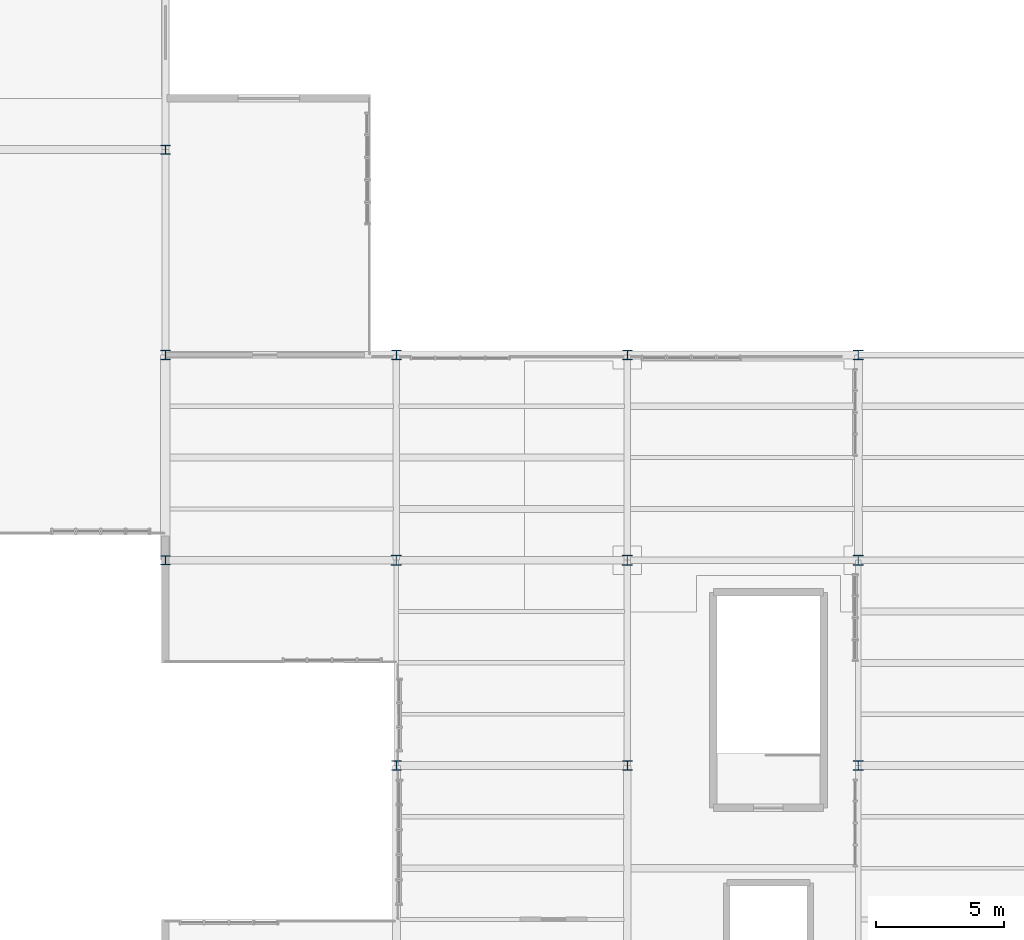
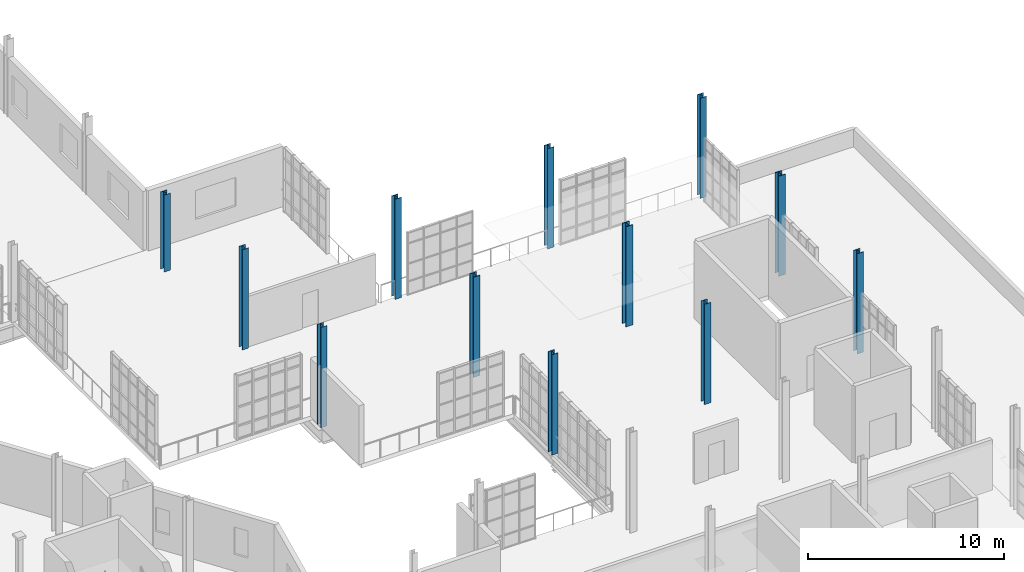
# One storey, part 5 of 118: 12 columns.
"""IFC4 building model written with IfcOpenShell, lengths in metres."""

from ifc_helpers import new_model, si_unit, direction, frame, origin, origin_2d, place, context, subcontext, project, spatial, i_section, extrude, material, material_profile, profile_set, type_object, element, save


model = new_model("IFC4")

# Units and contexts
model_context = context("Model", 3, precision=1e-05, world=origin(), true_north=direction((0.0, 1.0)))
body_context = subcontext(model_context, "Body", "Model", "MODEL_VIEW")
ifc_project = project(units=[si_unit("LENGTHUNIT", "METRE"), si_unit("AREAUNIT", "SQUARE_METRE"), si_unit("VOLUMEUNIT", "CUBIC_METRE"), si_unit("PLANEANGLEUNIT", "RADIAN"), si_unit("MASSUNIT", "GRAM", prefix="KILO"), si_unit("THERMODYNAMICTEMPERATUREUNIT", "KELVIN"), si_unit("POWERUNIT", "WATT")], contexts=[model_context])

# Site, building, storey
site_placement = place(None, origin())
site = spatial("IfcSite", under=ifc_project, at=site_placement, CompositionType="ELEMENT")
building_placement = place(site_placement, origin())
building = spatial("IfcBuilding", under=site, at=building_placement, Name="Zelmaris Science Centre", CompositionType="ELEMENT")
storey_placement = place(building_placement, frame((0.0, 0.0, 15.60009765625)))
storey = spatial("IfcBuildingStorey", under=building, at=storey_placement, Name="L03", CompositionType="ELEMENT", Elevation=15.60009765625)

# Columns
ifc_material = material(Name="Steel ASTM A992 Grade 50", Category="steel")
ifc_material_profile_1 = material_profile(ifc_material, i_section(OverallWidth=0.40087890625, OverallDepth=0.39892578125, WebThickness=0.02490234375, FlangeThickness=0.03955078125, FilletRadius=0.014892578125, at=origin_2d()), Name="W14X211")
ifc_profile_set_1 = profile_set([ifc_material_profile_1], Name="Steel ASTM A992 Grade 50")
column_type_1 = type_object("IfcColumnType", Name="Column C-03 W14X211", PredefinedType="COLUMN", material=ifc_profile_set_1)
for number, where, z_axis, x_axis, name in (
    (1, (117.0, 48.0, 0.0), (0.0, 0.0, 1.0), (1.0, 0.0, 0.0), "Column V4-C-117-48 L03"),
    (2, (126.0, 48.0, 0.0), (0.0, 0.0, 1.0), (1.0, 0.0, 0.0), "Column V4-C-126-48 L03"),
    (3, (135.0, 48.0, 0.0), (0.0, 0.0, 1.0), (1.0, 0.0, 0.0), "Column V4-C-135-48 L03"),
):
    element("IfcColumn", number, at=place(storey_placement, frame(where, z_axis=z_axis, x_axis=x_axis)), inside=storey, type_object=column_type_1, Name=name, PredefinedType="COLUMN", context=body_context, shape_type="SweptSolid", body=[
        extrude(i_section(OverallWidth=0.40087890625, OverallDepth=0.39892578125, WebThickness=0.02490234375, FlangeThickness=0.03955078125, FilletRadius=0.014892578125, at=origin_2d()), origin(), (0.0, 0.0, 1.0), 6.25),
    ])
ifc_material_profile_2 = material_profile(ifc_material, i_section(OverallWidth=0.373046875, OverallDepth=0.367919921875, WebThickness=0.014892578125, FlangeThickness=0.02392578125, FilletRadius=0.014892578125, at=origin_2d()), Name="W14X120")
ifc_profile_set_2 = profile_set([ifc_material_profile_2], Name="Steel ASTM A992 Grade 50")
column_type_2 = type_object("IfcColumnType", Name="Column C-06 W14X120", PredefinedType="COLUMN", material=ifc_profile_set_2)
for number, where, z_axis, x_axis, name in (
    (4, (108.0, 48.0, 0.0), (0.0, 0.0, 1.0), (1.0, 0.0, 0.0), "Column V4-C-108-48 L03"),
    (5, (108.0, 56.0, 0.0), (0.0, 0.0, 1.0), (1.0, 0.0, 0.0), "Column V4-C-108-56 L03"),
    (6, (117.0, 40.0, 0.0), (0.0, 0.0, 1.0), (1.0, 0.0, 0.0), "Column V4-C-117-40 L03"),
    (7, (117.0, 56.0, 0.0), (0.0, 0.0, 1.0), (1.0, 0.0, 0.0), "Column V4-C-117-56 L03"),
    (8, (126.0, 40.0, 0.0), (0.0, 0.0, 1.0), (1.0, 0.0, 0.0), "Column V4-C-126-40 L03"),
    (9, (126.0, 56.0, 0.0), (0.0, 0.0, 1.0), (1.0, 0.0, 0.0), "Column V4-C-126-56 L03"),
    (10, (135.0, 40.0, 0.0), (0.0, 0.0, 1.0), (1.0, 0.0, 0.0), "Column V4-C-135-40 L03"),
    (11, (135.0, 56.0, 0.0), (0.0, 0.0, 1.0), (1.0, 0.0, 0.0), "Column V4-C-135-56 L03"),
):
    element("IfcColumn", number, at=place(storey_placement, frame(where, z_axis=z_axis, x_axis=x_axis)), inside=storey, type_object=column_type_2, Name=name, PredefinedType="COLUMN", context=body_context, shape_type="SweptSolid", body=[
        extrude(i_section(OverallWidth=0.373046875, OverallDepth=0.367919921875, WebThickness=0.014892578125, FlangeThickness=0.02392578125, FilletRadius=0.014892578125, at=origin_2d()), origin(), (0.0, 0.0, 1.0), 6.25),
    ])
ifc_material_profile_3 = material_profile(ifc_material, i_section(OverallWidth=0.367919921875, OverallDepth=0.35595703125, WebThickness=0.01123046875, FlangeThickness=0.01806640625, FilletRadius=0.014892578125, at=origin_2d()), Name="W14X90")
ifc_profile_set_3 = profile_set([ifc_material_profile_3], Name="Steel ASTM A992 Grade 50")
column_type_3 = type_object("IfcColumnType", Name="Column C-07 W14X90", PredefinedType="COLUMN", material=ifc_profile_set_3)
column_placement = place(storey_placement, frame((108.0, 64.0, 0.0), z_axis=(0.0, 0.0, 1.0), x_axis=(1.0, 0.0, 0.0)))
element("IfcColumn", 12, at=column_placement, inside=storey, type_object=column_type_3, Name="Column V5-C-108-64 L03", PredefinedType="COLUMN", context=body_context, shape_type="SweptSolid", body=[
    extrude(i_section(OverallWidth=0.367919921875, OverallDepth=0.35595703125, WebThickness=0.01123046875, FlangeThickness=0.01806640625, FilletRadius=0.014892578125, at=origin_2d()), origin(), (0.0, 0.0, 1.0), 4.7998046875),
])

save(model, "model.ifc")
